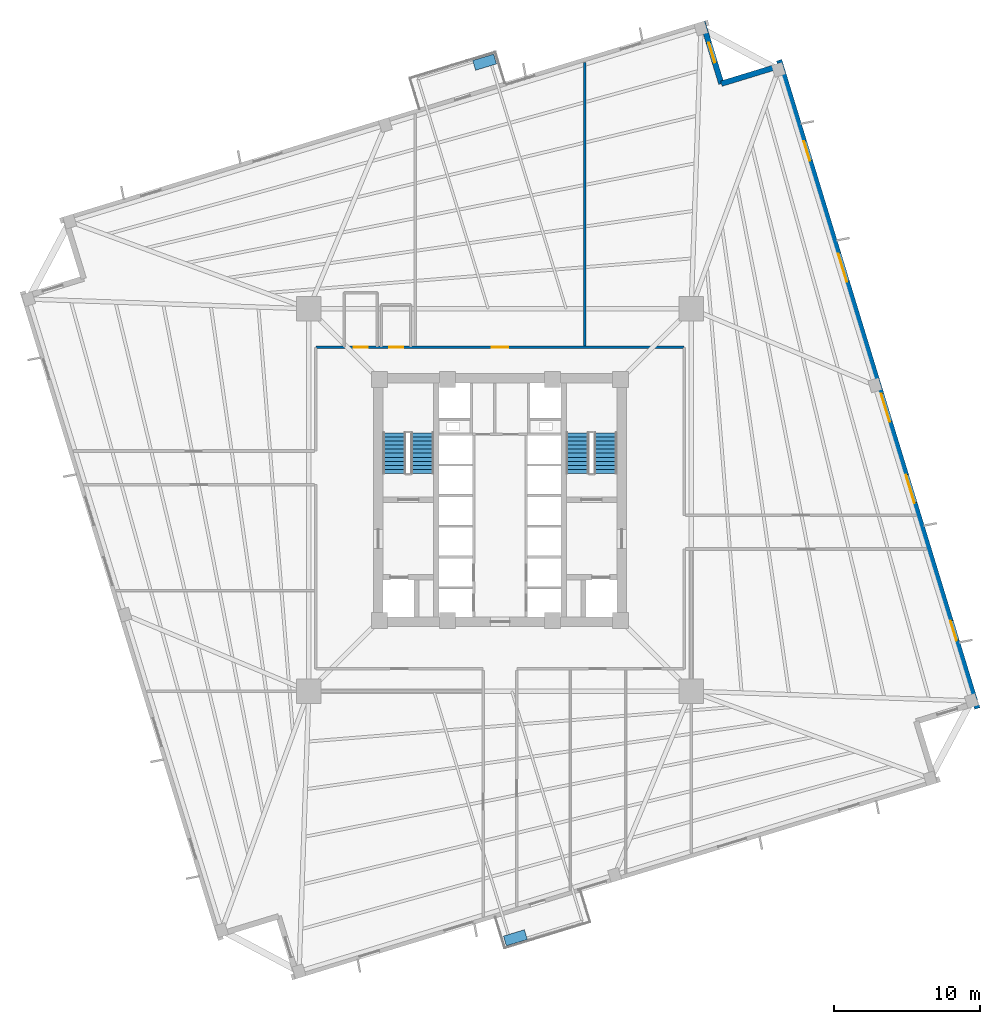
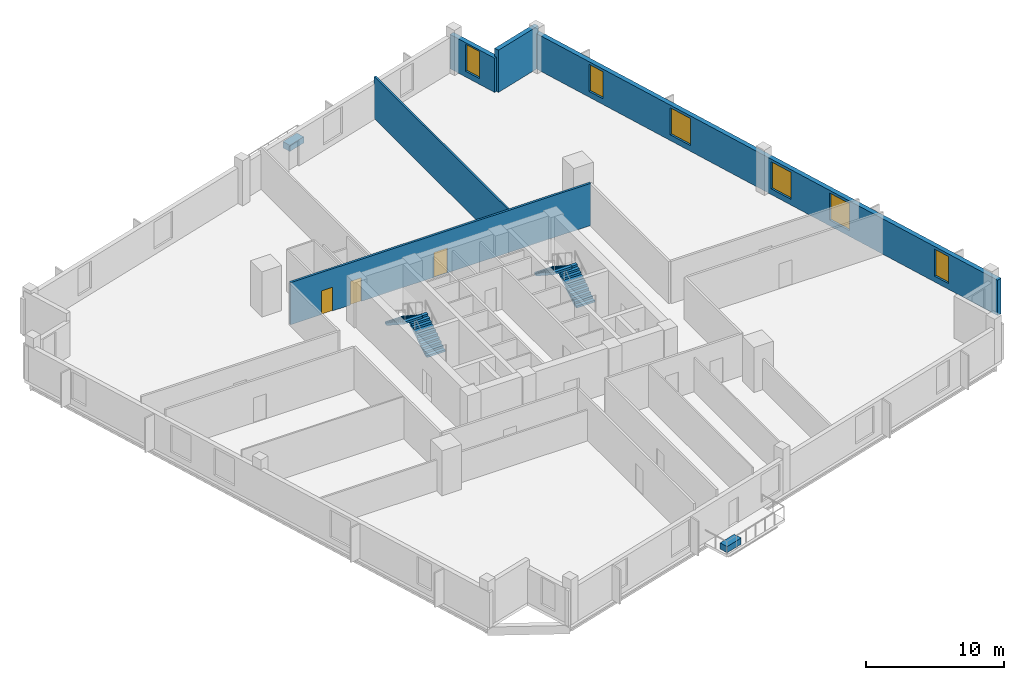
# One storey, part 5 of 8: 6 windows, 5 walls, 4 stair flights, 3 doors, 2 discrete accessories, 9 openings, 2 elements without a shape of their own.
"""IFC4 building model written with IfcOpenShell, lengths in metres."""

from ifc_helpers import new_model, si_unit, direction, frame, frame_2d, origin, origin_2d, place, context, subcontext, project, spatial, polyline, rectangle, outline, extrude, source, transform, mapped, material, layer, layer_set, type_object, element, fill, aggregate, save


model = new_model("IFC4")

# Units and contexts
model_context = context("Model", 3, precision=1e-05, world=origin(), true_north=direction((0.0, 1.0)))
body_context = subcontext(model_context, "Body", "Model", "MODEL_VIEW")
ifc_project = project(units=[si_unit("LENGTHUNIT", "METRE"), si_unit("AREAUNIT", "SQUARE_METRE"), si_unit("VOLUMEUNIT", "CUBIC_METRE"), si_unit("PLANEANGLEUNIT", "RADIAN"), si_unit("MASSUNIT", "GRAM", prefix="KILO"), si_unit("THERMODYNAMICTEMPERATUREUNIT", "KELVIN")], contexts=[model_context])

# Site, building, storey
site_placement = place(None, origin())
site = spatial("IfcSite", under=ifc_project, at=site_placement, CompositionType="ELEMENT")
building_placement = place(site_placement, origin())
building = spatial("IfcBuilding", under=site, at=building_placement, Name="Kosmvard Interchange Tower", CompositionType="ELEMENT")
storey_placement = place(building_placement, frame((0.0, 0.0, 115.199951171875)))
storey = spatial("IfcBuildingStorey", under=building, at=storey_placement, Name="L27", CompositionType="ELEMENT", Elevation=115.199951171875)

# Wall
ifc_material_1 = material(Name="Acoustic gypsum partition system")
ifc_layer_1 = layer(ifc_material_1, 0.14990234375, Name="Acoustic gypsum partition system")
ifc_layer_set_1 = layer_set([ifc_layer_1], Name="Acoustic gypsum partition system")
wall_type_1 = type_object("IfcWallType", Name="Acoustic Suite & Meeting Partition 150", PredefinedType="PARTITIONING", material=ifc_layer_set_1)
wall_1_placement = place(storey_placement, frame((5.800048828125, 10.544921875, 0.0), z_axis=(0.0, 0.0, 1.0), x_axis=(0.0, 1.0, 0.0)))
element("IfcWall", 1, at=wall_1_placement, inside=storey, type_object=wall_type_1, Name="L27 Room Partition 02.1", PredefinedType="PARTITIONING", context=body_context, shape_type="SweptSolid", body=[
    extrude(rectangle(XDim=19.39404296875, YDim=0.14990234375, at=frame_2d((9.697021484375, 0.0))), origin(), (0.0, 0.0, 1.0), 3.739990234375),
])

# Wall, openings, doors
ifc_material_2 = material(Name="Fire-rated gypsum partition system")
ifc_layer_2 = layer(ifc_material_2, 0.179931640625, Name="Fire-rated gypsum partition system")
ifc_layer_set_2 = layer_set([ifc_layer_2], Name="Fire-rated gypsum partition system")
wall_type_2 = type_object("IfcWallType", Name="Corridor & Hotel Compartment Partition 180", PredefinedType="PARTITIONING", material=ifc_layer_set_2)
wall_2_placement = place(storey_placement, frame((-12.60009765625, 10.449951171875, 0.0), z_axis=(0.0, 0.0, 1.0), x_axis=(1.0, 0.0, 0.0)))
wall_2 = element("IfcWall", 2, at=wall_2_placement, inside=storey, type_object=wall_type_2, Name="L27 Corridor Wall CN", PredefinedType="PARTITIONING", context=body_context, shape_type="SweptSolid", body=[
    extrude(rectangle(XDim=25.2001953125, YDim=0.179931640625, at=frame_2d((12.60009765625, 0.0))), origin(), (0.0, 0.0, 1.0), 3.739990234375),
])
opening_1_placement = place(wall_2_placement, frame((5.013916015625, 0.0, 0.0)))
opening_1 = element("IfcOpeningElement", 3, at=opening_1_placement, cuts=wall_2, Name="Opening L27-D01", PredefinedType="OPENING", context=body_context, shape_type="SweptSolid", body=[
    extrude(rectangle(XDim=0.949951171875, YDim=2.10009765625, at=frame_2d((0.47509765625, 1.050048828125))), frame((0.0, 0.10009765625, 0.0), z_axis=(0.0, -1.0, 0.0), x_axis=(1.0, 0.0, 0.0)), (0.0, 0.0, 1.0), 0.199951171875),
])
opening_2_placement = place(wall_2_placement, frame((2.58984375, 0.0, 0.0)))
opening_2 = element("IfcOpeningElement", 4, at=opening_2_placement, cuts=wall_2, Name="Opening L27-D02", PredefinedType="OPENING", context=body_context, shape_type="SweptSolid", body=[
    extrude(rectangle(XDim=0.949951171875, YDim=2.10009765625, at=frame_2d((0.47509765625, 1.050048828125))), frame((0.0, 0.10009765625, 0.0), z_axis=(0.0, -1.0, 0.0), x_axis=(1.0, 0.0, 0.0)), (0.0, 0.0, 1.0), 0.199951171875),
])
opening_3_placement = place(wall_2_placement, frame((12.050048828125, 0.0, 0.0)))
opening_3 = element("IfcOpeningElement", 5, at=opening_3_placement, cuts=wall_2, Name="Opening L27-D04", PredefinedType="OPENING", context=body_context, shape_type="SweptSolid", body=[
    extrude(rectangle(XDim=1.10009765625, YDim=2.199951171875, at=frame_2d((0.550048828125, 1.10009765625))), frame((0.0, 0.10009765625, 0.0), z_axis=(0.0, -1.0, 0.0), x_axis=(1.0, 0.0, 0.0)), (0.0, 0.0, 1.0), 0.199951171875),
])
ifc_material_3 = material(Name="Laminated moisture-resistant timber", Category="wood")
door_type_1 = type_object("IfcDoorType", Name="Accessible Washroom Door 950x2100", OperationType="NOTDEFINED", PredefinedType="DOOR", material=ifc_material_3)
shared_shape_1 = source(origin(), body_context, "Body", "SweptSolid", [
    extrude(rectangle(XDim=0.949951171875, YDim=2.10009765625, at=frame_2d((0.47509765625, 1.050048828125))), frame((0.0, 0.02490234375, 0.0), z_axis=(0.0, -1.0, 0.0), x_axis=(1.0, 0.0, 0.0)), (0.0, 0.0, 1.0), 0.050048828125),
])
door_1_placement = place(opening_1_placement, origin())
door_1 = element("IfcDoor", 6, at=door_1_placement, inside=storey, type_object=door_type_1, Name="L27 Accessible Toilet Door", OperationType="SINGLE_SWING_LEFT", OverallHeight=2.10009765625, OverallWidth=0.949951171875, PredefinedType="DOOR", context=body_context, shape_type="MappedRepresentation", body=[
    mapped(shared_shape_1, transform((0.0, 0.0, 0.0), scale=1.0)),
])
fill(opening_1, door_1)
door_2_placement = place(opening_2_placement, origin())
door_2 = element("IfcDoor", 7, at=door_2_placement, inside=storey, type_object=door_type_1, Name="L27 Public Floor Washroom Door", OperationType="SINGLE_SWING_RIGHT", OverallHeight=2.10009765625, OverallWidth=0.949951171875, PredefinedType="DOOR", context=body_context, shape_type="MappedRepresentation", body=[
    mapped(shared_shape_1, transform((0.0, 0.0, 0.0), scale=1.0)),
])
fill(opening_2, door_2)
ifc_material_4 = material(Name="Engineered oak fire-rated timber", Category="wood")
door_type_2 = type_object("IfcDoorType", Name="Office Suite Entrance Door 1100x2200 FD30S", OperationType="NOTDEFINED", PredefinedType="DOOR", material=ifc_material_4)
shared_shape_2 = source(origin(), body_context, "Body", "SweptSolid", [
    extrude(rectangle(XDim=1.10009765625, YDim=2.199951171875, at=frame_2d((0.550048828125, 1.10009765625))), frame((0.0, 0.02490234375, 0.0), z_axis=(0.0, -1.0, 0.0), x_axis=(1.0, 0.0, 0.0)), (0.0, 0.0, 1.0), 0.050048828125),
])
door_3_placement = place(opening_3_placement, origin())
door_3 = element("IfcDoor", 8, at=door_3_placement, inside=storey, type_object=door_type_2, Name="L27 Central Concierge Reception Door", OperationType="SINGLE_SWING_RIGHT", OverallHeight=2.199951171875, OverallWidth=1.10009765625, PredefinedType="DOOR", context=body_context, shape_type="MappedRepresentation", body=[
    mapped(shared_shape_2, transform((0.0, 0.0, 0.0), scale=1.0)),
])
fill(opening_3, door_3)

# Wall, openings, windows
ifc_material_5 = material(Name="Precast concrete C45/55", Category="concrete")
ifc_layer_3 = layer(ifc_material_5, 0.3798828125, Name="Precast concrete C45/55")
ifc_layer_set_3 = layer_set([ifc_layer_3], Name="Precast concrete C45/55")
wall_type_3 = type_object("IfcWallType", Name="Lower Tower Precast Pier Wall 380 C45/55", PredefinedType="STANDARD", material=ifc_layer_set_3)
wall_3_placement = place(storey_placement, frame((32.65771484375, -14.26513671875, 0.0), z_axis=(0.0, 0.0, 1.0), x_axis=(-0.292373127906, 0.956304320851, 0.0)))
wall_3 = element("IfcWall", 9, at=wall_3_placement, inside=storey, type_object=wall_type_3, Name="L27 Precast Facade Wall F-E", PredefinedType="STANDARD", context=body_context, shape_type="SweptSolid", body=[
    extrude(rectangle(XDim=46.380126953125, YDim=0.3798828125, at=frame_2d((23.18994140625, 0.0))), origin(), (0.0, 0.0, 1.0), 3.14013671875),
])
opening_4_placement = place(wall_3_placement, frame((4.865478515625, 0.0, 0.510009765625)))
opening_4 = element("IfcOpeningElement", 10, at=opening_4_placement, cuts=wall_3, Name="Opening L27-W06", PredefinedType="OPENING", context=body_context, shape_type="SweptSolid", body=[
    extrude(rectangle(XDim=1.39990234375, YDim=2.39990234375, at=frame_2d((0.699951171875, 1.199951171875))), frame((0.0, 0.199951171875, 0.0), z_axis=(0.0, -1.0, 0.0), x_axis=(1.0, 0.0, 0.0)), (0.0, 0.0, 1.0), 0.39990234375),
])
opening_5_placement = place(wall_3_placement, frame((14.7001953125, 0.0, 0.510009765625)))
opening_5 = element("IfcOpeningElement", 11, at=opening_5_placement, cuts=wall_3, Name="Opening L27-W07", PredefinedType="OPENING", context=body_context, shape_type="SweptSolid", body=[
    extrude(rectangle(XDim=2.0, YDim=2.39990234375, at=frame_2d((1.0, 1.199951171875))), frame((0.0, 0.199951171875, 0.0), z_axis=(0.0, -1.0, 0.0), x_axis=(1.0, 0.0, 0.0)), (0.0, 0.0, 1.0), 0.39990234375),
])
opening_6_placement = place(wall_3_placement, frame((20.512451171875, 0.0, 0.510009765625)))
opening_6 = element("IfcOpeningElement", 12, at=opening_6_placement, cuts=wall_3, Name="Opening L27-W08", PredefinedType="OPENING", context=body_context, shape_type="SweptSolid", body=[
    extrude(rectangle(XDim=2.0, YDim=2.39990234375, at=frame_2d((1.0, 1.199951171875))), frame((0.0, 0.199951171875, 0.0), z_axis=(0.0, -1.0, 0.0), x_axis=(1.0, 0.0, 0.0)), (0.0, 0.0, 1.0), 0.39990234375),
])
opening_7_placement = place(wall_3_placement, frame((30.538330078125, 0.0, 0.510009765625)))
opening_7 = element("IfcOpeningElement", 13, at=opening_7_placement, cuts=wall_3, Name="Opening L27-W09", PredefinedType="OPENING", context=body_context, shape_type="SweptSolid", body=[
    extrude(rectangle(XDim=2.0, YDim=2.39990234375, at=frame_2d((1.0, 1.199951171875))), frame((0.0, 0.199951171875, 0.0), z_axis=(0.0, -1.0, 0.0), x_axis=(1.0, 0.0, 0.0)), (0.0, 0.0, 1.0), 0.39990234375),
])
opening_8_placement = place(wall_3_placement, frame((39.186767578125, 0.0, 0.510009765625)))
opening_8 = element("IfcOpeningElement", 14, at=opening_8_placement, cuts=wall_3, Name="Opening L27-W10", PredefinedType="OPENING", context=body_context, shape_type="SweptSolid", body=[
    extrude(rectangle(XDim=1.39990234375, YDim=2.39990234375, at=frame_2d((0.699951171875, 1.199951171875))), frame((0.0, 0.199951171875, 0.0), z_axis=(0.0, -1.0, 0.0), x_axis=(1.0, 0.0, 0.0)), (0.0, 0.0, 1.0), 0.39990234375),
])
ifc_material_6 = material(Name="Low-E solar-control double glazing", Category="glass")
window_type_1 = type_object("IfcWindowType", Name="Notched Corner Feature Window 1400x2400", PartitioningType="SINGLE_PANEL", PredefinedType="WINDOW", material=ifc_material_6)
shared_shape_3 = source(origin(), body_context, "Body", "SweptSolid", [
    extrude(rectangle(XDim=1.39990234375, YDim=2.39990234375, at=frame_2d((0.699951171875, 1.199951171875))), frame((0.0, 0.030029296875, 0.0), z_axis=(0.0, -1.0, 0.0), x_axis=(1.0, 0.0, 0.0)), (0.0, 0.0, 1.0), 0.06005859375),
])
window_1_placement = place(opening_4_placement, origin())
window_1 = element("IfcWindow", 15, at=window_1_placement, inside=storey, type_object=window_type_1, Name="L27 Facade Punched Window 06", OverallHeight=2.39990234375, OverallWidth=1.39990234375, PartitioningType="SINGLE_PANEL", PredefinedType="WINDOW", context=body_context, shape_type="MappedRepresentation", body=[
    mapped(shared_shape_3, transform((0.0, 0.0, 0.0), scale=1.0)),
])
fill(opening_4, window_1)
window_2_placement = place(opening_8_placement, origin())
window_2 = element("IfcWindow", 16, at=window_2_placement, inside=storey, type_object=window_type_1, Name="L27 Facade Punched Window 10", OverallHeight=2.39990234375, OverallWidth=1.39990234375, PartitioningType="SINGLE_PANEL", PredefinedType="WINDOW", context=body_context, shape_type="MappedRepresentation", body=[
    mapped(shared_shape_3, transform((0.0, 0.0, 0.0), scale=1.0)),
])
fill(opening_8, window_2)
window_type_2 = type_object("IfcWindowType", Name="Zone 2 Office Punched Window 2000x2400", PartitioningType="SINGLE_PANEL", PredefinedType="WINDOW", material=ifc_material_6)
shared_shape_4 = source(origin(), body_context, "Body", "SweptSolid", [
    extrude(rectangle(XDim=2.0, YDim=2.39990234375, at=frame_2d((1.0, 1.199951171875))), frame((0.0, 0.030029296875, 0.0), z_axis=(0.0, -1.0, 0.0), x_axis=(1.0, 0.0, 0.0)), (0.0, 0.0, 1.0), 0.06005859375),
])
window_3_placement = place(opening_5_placement, origin())
window_3 = element("IfcWindow", 17, at=window_3_placement, inside=storey, type_object=window_type_2, Name="L27 Facade Punched Window 07", OverallHeight=2.39990234375, OverallWidth=2.0, PartitioningType="SINGLE_PANEL", PredefinedType="WINDOW", context=body_context, shape_type="MappedRepresentation", body=[
    mapped(shared_shape_4, transform((0.0, 0.0, 0.0), scale=1.0)),
])
fill(opening_5, window_3)
window_4_placement = place(opening_6_placement, origin())
window_4 = element("IfcWindow", 18, at=window_4_placement, inside=storey, type_object=window_type_2, Name="L27 Facade Punched Window 08", OverallHeight=2.39990234375, OverallWidth=2.0, PartitioningType="SINGLE_PANEL", PredefinedType="WINDOW", context=body_context, shape_type="MappedRepresentation", body=[
    mapped(shared_shape_4, transform((0.0, 0.0, 0.0), scale=1.0)),
])
fill(opening_6, window_4)
window_5_placement = place(opening_7_placement, origin())
window_5 = element("IfcWindow", 19, at=window_5_placement, inside=storey, type_object=window_type_2, Name="L27 Facade Punched Window 09", OverallHeight=2.39990234375, OverallWidth=2.0, PartitioningType="SINGLE_PANEL", PredefinedType="WINDOW", context=body_context, shape_type="MappedRepresentation", body=[
    mapped(shared_shape_4, transform((0.0, 0.0, 0.0), scale=1.0)),
])
fill(opening_7, window_5)

# Wall
wall_4_placement = place(storey_placement, frame((19.20849609375, 29.724853515625, 0.0), z_axis=(0.0, 0.0, 1.0), x_axis=(-0.956312764915, -0.292345507338, 0.0)))
element("IfcWall", 20, at=wall_4_placement, inside=storey, type_object=wall_type_3, Name="L27 Precast Facade Wall N-NE1", PredefinedType="STANDARD", context=body_context, shape_type="SweptSolid", body=[
    extrude(rectangle(XDim=4.249755859375, YDim=0.3798828125, at=frame_2d((2.125, 0.0))), origin(), (0.0, 0.0, 1.0), 3.739990234375),
])

# Wall, opening, window
wall_5_placement = place(storey_placement, frame((15.144287109375, 28.482421875, 0.0), z_axis=(0.0, 0.0, 1.0), x_axis=(-0.292373601522, 0.956304176051, 0.0)))
wall_5 = element("IfcWall", 21, at=wall_5_placement, inside=storey, type_object=wall_type_3, Name="L27 Precast Facade Wall N-NE2", PredefinedType="STANDARD", context=body_context, shape_type="SweptSolid", body=[
    extrude(rectangle(XDim=4.43994140625, YDim=0.3798828125, at=frame_2d((2.219970703125, 0.0))), origin(), (0.0, 0.0, 1.0), 3.0400390625),
])
opening_9_placement = place(wall_5_placement, frame((1.52001953125, 0.0, 0.510009765625)))
opening_9 = element("IfcOpeningElement", 22, at=opening_9_placement, cuts=wall_5, Name="Opening L27-W21", PredefinedType="OPENING", context=body_context, shape_type="SweptSolid", body=[
    extrude(rectangle(XDim=1.39990234375, YDim=2.39990234375, at=frame_2d((0.699951171875, 1.199951171875))), frame((0.0, 0.199951171875, 0.0), z_axis=(0.0, -1.0, 0.0), x_axis=(1.0, 0.0, 0.0)), (0.0, 0.0, 1.0), 0.39990234375),
])
window_6_placement = place(opening_9_placement, origin())
window_6 = element("IfcWindow", 23, at=window_6_placement, inside=storey, type_object=window_type_1, Name="L27 Corner Notch Window 21", OverallHeight=2.39990234375, OverallWidth=1.39990234375, PartitioningType="SINGLE_PANEL", PredefinedType="WINDOW", context=body_context, shape_type="MappedRepresentation", body=[
    mapped(shared_shape_3, transform((0.0, 0.0, 0.0), scale=1.0)),
])
fill(opening_9, window_6)

# Stair, stair flights
ifc_material_7 = material(Name="Concrete C50/60", Category="concrete")
stair_type = type_object("IfcStairType", Name="Dog-Leg Core Exit Stair H4000 C50/60", PredefinedType="HALF_TURN_STAIR", material=ifc_material_7)
stair_1_placement = place(storey_placement, origin())
stair_1 = element("IfcStair", 24, at=stair_1_placement, inside=storey, type_object=stair_type, Name="L27 Protected Exit Stair ST-1", PredefinedType="HALF_TURN_STAIR")
stair_flight_type = type_object("IfcStairFlightType", Name="Core Stair Flight W1550 H4000 C50/60", PredefinedType="STRAIGHT", material=ifc_material_7)
shared_shape_5 = source(origin(), body_context, "Body", "SweptSolid", [
    extrude(outline(polyline([(0.0, 0.0), (0.0, 0.181884765625), (0.280029296875, 0.181884765625), (0.280029296875, 0.363525390625), (0.56005859375, 0.363525390625), (0.56005859375, 0.54541015625), (0.840087890625, 0.54541015625), (0.840087890625, 0.727294921875), (1.1201171875, 0.727294921875), (1.1201171875, 0.9091796875), (1.39990234375, 0.9091796875), (1.39990234375, 1.0908203125), (1.679931640625, 1.0908203125), (1.679931640625, 1.272705078125), (1.9599609375, 1.272705078125), (1.9599609375, 1.45458984375), (2.239990234375, 1.45458984375), (2.239990234375, 1.636474609375), (2.52001953125, 1.636474609375), (2.52001953125, 1.818115234375), (2.800048828125, 1.818115234375), (2.800048828125, 2.0), (2.800048828125, 1.62744140625), (0.293701171875, 0.0), (0.0, 0.0)])), frame((0.0, 0.77490234375, 0.0), z_axis=(0.0, -1.0, 0.0), x_axis=(1.0, 0.0, 0.0)), (0.0, 0.0, 1.0), 1.550048828125),
])
stair_flight_1_placement = place(storey_placement, frame((-5.31494140625, 1.800048828125, 0.0), z_axis=(0.0, 0.0, 1.0), x_axis=(0.0, 1.0, 0.0)))
stair_flight_1 = element("IfcStairFlight", 25, at=stair_flight_1_placement, type_object=stair_flight_type, Name="ST-1 flight 1", NumberOfRisers=11, NumberOfTreads=10, PredefinedType="STRAIGHT", RiserHeight=0.181818182, TreadLength=0.28, context=body_context, shape_type="MappedRepresentation", body=[
    mapped(shared_shape_5, transform((0.0, 0.0, 0.0), scale=1.0)),
])
stair_flight_2_placement = place(storey_placement, frame((-7.22509765625, 4.60009765625, 2.0), z_axis=(0.0, 0.0, 1.0), x_axis=(0.0, -1.0, 0.0)))
stair_flight_2 = element("IfcStairFlight", 26, at=stair_flight_2_placement, type_object=stair_flight_type, Name="ST-1 flight 2", NumberOfRisers=11, NumberOfTreads=10, PredefinedType="STRAIGHT", RiserHeight=0.181818182, TreadLength=0.28, context=body_context, shape_type="MappedRepresentation", body=[
    mapped(shared_shape_5, transform((0.0, 0.0, 0.0), scale=1.0)),
])
aggregate(stair_1, [stair_flight_1, stair_flight_2])

stair_2_placement = place(storey_placement, origin())
stair_2 = element("IfcStair", 27, at=stair_2_placement, inside=storey, type_object=stair_type, Name="L27 Protected Exit Stair ST-2", PredefinedType="HALF_TURN_STAIR")
stair_flight_3_placement = place(storey_placement, frame((7.22509765625, 1.800048828125, 0.0), z_axis=(0.0, 0.0, 1.0), x_axis=(0.0, 1.0, 0.0)))
stair_flight_3 = element("IfcStairFlight", 28, at=stair_flight_3_placement, type_object=stair_flight_type, Name="ST-2 flight 1", NumberOfRisers=11, NumberOfTreads=10, PredefinedType="STRAIGHT", RiserHeight=0.181818182, TreadLength=0.28, context=body_context, shape_type="MappedRepresentation", body=[
    mapped(shared_shape_5, transform((0.0, 0.0, 0.0), scale=1.0)),
])
stair_flight_4_placement = place(storey_placement, frame((5.31494140625, 4.60009765625, 2.0), z_axis=(0.0, 0.0, 1.0), x_axis=(0.0, -1.0, 0.0)))
stair_flight_4 = element("IfcStairFlight", 29, at=stair_flight_4_placement, type_object=stair_flight_type, Name="ST-2 flight 2", NumberOfRisers=11, NumberOfTreads=10, PredefinedType="STRAIGHT", RiserHeight=0.181818182, TreadLength=0.28, context=body_context, shape_type="MappedRepresentation", body=[
    mapped(shared_shape_5, transform((0.0, 0.0, 0.0), scale=1.0)),
])
aggregate(stair_2, [stair_flight_3, stair_flight_4])

# Discrete accessories
ifc_material_8 = material(Name="Terracotta precast planter concrete C45/55", Category="masonry")
discrete_accessory_type = type_object("IfcDiscreteAccessoryType", Name="Precast Tree-Balcony & Terrace Planter Box", PredefinedType="USERDEFINED", material=ifc_material_8)
shared_shape_6 = source(origin(), body_context, "Body", "SweptSolid", [
    extrude(rectangle(XDim=1.5, YDim=0.699951171875, at=origin_2d()), origin(), (0.0, 0.0, 1.0), 0.550048828125),
])
for number, where, z_axis, x_axis, name in (
    (30, (1.052734375, -29.950927734375, 0.0), (0.0, 0.0, 1.0), (0.956304755963, 0.292371704723, 0.0), "L27 Balcony Tree Planter BAL-L27-S"),
    (31, (-1.052734375, 29.950927734375, 0.0), (0.0, 0.0, 1.0), (0.956304755963, 0.292371704723, 0.0), "L27 Balcony Tree Planter BAL-L27-N"),
):
    element("IfcDiscreteAccessory", number, at=place(storey_placement, frame(where, z_axis=z_axis, x_axis=x_axis)), inside=storey, type_object=discrete_accessory_type, Name=name, ObjectType="PLANTER", PredefinedType="USERDEFINED", context=body_context, shape_type="MappedRepresentation", body=[
        mapped(shared_shape_6, transform((0.0, 0.0, 0.0), scale=1.0)),
    ])

save(model, "model.ifc")
